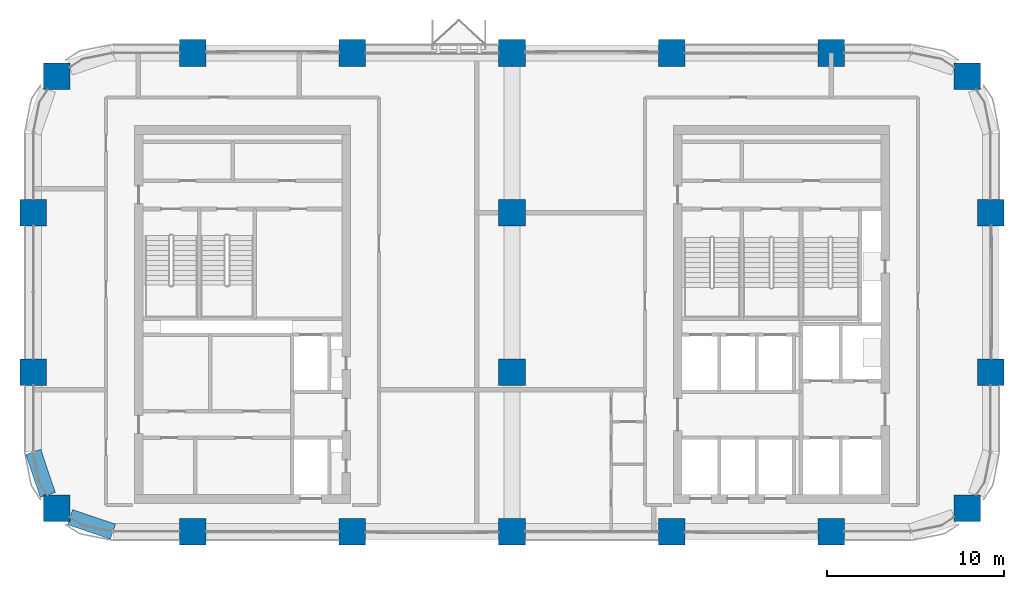
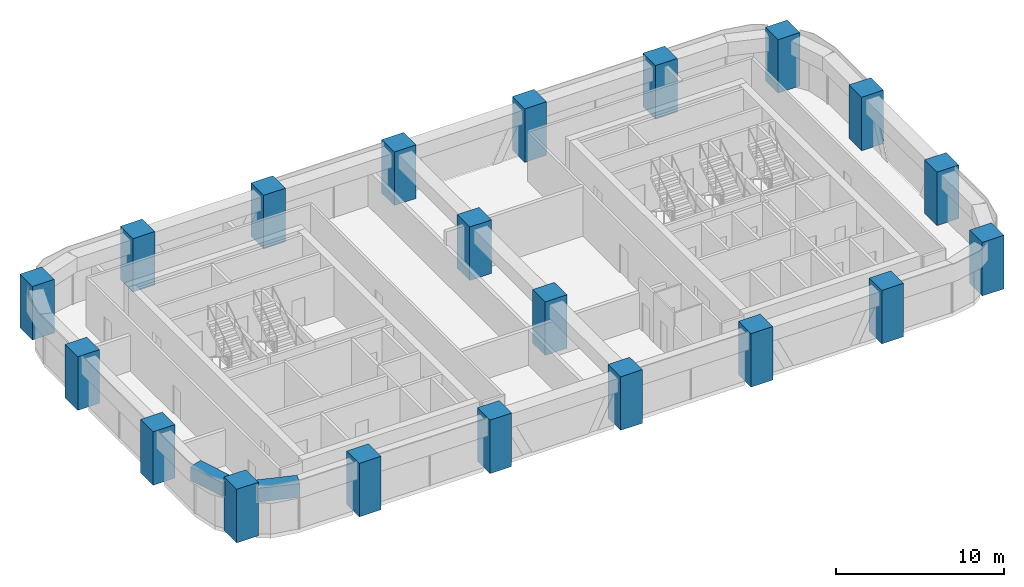
# One storey, part 1 of 14: 20 columns, 2 beams.
"""IFC4 building model written with IfcOpenShell, lengths in metres."""

import ifcopenshell
import ifcopenshell.guid

model = None  # the IFC model being written
_history = None  # IfcOwnerHistory: only IFC2X3 demands one
_inside = {}  # id of a spatial element -> (the spatial element, [elements in it])
_under = {}  # id of a project, library or spatial element -> (it, [spatial elements below it])
_declared = {}  # id of a project -> (the project, [libraries it declares])
_typed = {}  # id of a type object -> (the type object, [elements of that type])
_made_of = {}  # id of a material, layer set ... -> (it, [elements and type objects made of it])


def new_model(schema):
    """Start an empty IFC model of exactly this schema.

    Asked for "IFC4X3", IfcOpenShell would pick the latest addendum, in which some entities
    have other attributes; the version numbers below select the first issue.
    IFC2X3 requires an IfcOwnerHistory on every rooted entity: one is made here for all.
    """
    global model, _history
    if schema == "IFC4X3":
        model = ifcopenshell.file(schema_version=(4, 3, 0, 0))
    else:
        model = ifcopenshell.file(schema=schema)
    _inside.clear()
    _under.clear()
    _declared.clear()
    _typed.clear()
    _made_of.clear()
    _history = None
    if model.schema == "IFC2X3":
        org = make("IfcOrganization", Name="unknown")
        user = make(
            "IfcPersonAndOrganization",
            ThePerson=make("IfcPerson", FamilyName="unknown"),
            TheOrganization=org,
        )
        app = make(
            "IfcApplication",
            ApplicationDeveloper=org,
            Version="unknown",
            ApplicationFullName="unknown",
            ApplicationIdentifier="unknown",
        )
        _history = make(
            "IfcOwnerHistory",
            OwningUser=user,
            OwningApplication=app,
            ChangeAction="ADDED",
            CreationDate=0,
        )
    return model


def make(cls, **values):
    """One entity of the class cls with the attributes given. An attribute that is None is left unset."""
    return model.create_entity(
        cls, **{name: value for name, value in values.items() if value is not None}
    )


def rooted(cls, **values):
    """An entity with a GlobalId (a new one), such as an element, a storey or a relation."""
    return make(cls, GlobalId=ifcopenshell.guid.new(), OwnerHistory=_history, **values)


def si_unit(unit_type, name, prefix=None):
    """IfcSIUnit, for example si_unit("LENGTHUNIT", "METRE", prefix="MILLI")."""
    return make("IfcSIUnit", UnitType=unit_type, Prefix=prefix, Name=name)


def assignment(units):
    """IfcUnitAssignment: the units of a project."""
    return None if units is None else make("IfcUnitAssignment", Units=units)


def point(xyz):
    """IfcCartesianPoint."""
    return None if xyz is None else make("IfcCartesianPoint", Coordinates=xyz)


def direction(xyz):
    """IfcDirection."""
    return None if xyz is None else make("IfcDirection", DirectionRatios=xyz)


def frame(location, z_axis=None, x_axis=None):
    """IfcAxis2Placement3D, a coordinate frame: its origin and axes. An axis left out is left unset."""
    return make(
        "IfcAxis2Placement3D",
        Location=point(location),
        Axis=direction(z_axis),
        RefDirection=direction(x_axis),
    )


def frame_2d(location, x_axis=None):
    """IfcAxis2Placement2D, a coordinate frame in the plane: its origin and x axis."""
    return make(
        "IfcAxis2Placement2D", Location=point(location), RefDirection=direction(x_axis)
    )


def origin():
    """The frame at (0, 0, 0) with its axes left unset."""
    return frame((0.0, 0.0, 0.0))


def origin_2d():
    """The frame at (0, 0) in the plane with its x axis left unset."""
    return frame_2d((0.0, 0.0))


def place(relative_to, where):
    """IfcLocalPlacement: puts the frame where relative to a parent placement (None: the world)."""
    return make(
        "IfcLocalPlacement", PlacementRelTo=relative_to, RelativePlacement=where
    )


def context(
    kind, dimensions, precision=None, world=None, true_north=None, identifier=None
):
    """IfcGeometricRepresentationContext, for example the 3D "Model" context."""
    return make(
        "IfcGeometricRepresentationContext",
        ContextIdentifier=identifier,
        ContextType=kind,
        CoordinateSpaceDimension=dimensions,
        Precision=precision,
        WorldCoordinateSystem=world,
        TrueNorth=true_north,
    )


def subcontext(parent, identifier, kind, view, scale=None):
    """IfcGeometricRepresentationSubContext, for example "Body" below "Model"."""
    return make(
        "IfcGeometricRepresentationSubContext",
        ContextIdentifier=identifier,
        ContextType=kind,
        ParentContext=parent,
        TargetScale=scale,
        TargetView=view,
    )


def project(units=None, contexts=None):
    """IfcProject with its units and contexts."""
    return rooted(
        "IfcProject",
        Name="project",
        RepresentationContexts=contexts,
        UnitsInContext=assignment(units),
    )


def spatial(cls, under=None, at=None, **own):
    """A site, building, storey or space (cls), placed at a placement, below another one or the project."""
    s = rooted(cls, ObjectPlacement=at, **own)
    if under is not None:
        _under.setdefault(under.id(), (under, []))[1].append(s)
    return s


def profile(cls, at=None, kind="AREA", **sizes):
    """A parametric profile (cls). Its sizes go by their IFC names, for example OverallWidth=200.0."""
    return make(cls, ProfileType=kind, Position=at, **sizes)


def rectangle(**sizes):
    """IfcRectangleProfileDef."""
    return profile("IfcRectangleProfileDef", **sizes)


def extrude(swept, where, along, depth):
    """IfcExtrudedAreaSolid: the profile swept, set in the frame where, extruded along a direction by depth."""
    return make(
        "IfcExtrudedAreaSolid",
        SweptArea=swept,
        Position=where,
        ExtrudedDirection=direction(along),
        Depth=depth,
    )


def shape(context_of_items, identifier, shape_type, items):
    """IfcShapeRepresentation: the items that make up one representation, for example the "Body"."""
    return make(
        "IfcShapeRepresentation",
        ContextOfItems=context_of_items,
        RepresentationIdentifier=identifier,
        RepresentationType=shape_type,
        Items=items,
    )


def material(Name=None, Category=None):
    """IfcMaterial."""
    return make("IfcMaterial", Name=Name, Category=Category)


def material_profile(
    of_material, cross_section, Name=None, Category=None, Priority=None
):
    """IfcMaterialProfile: a cross section and its material."""
    return make(
        "IfcMaterialProfile",
        Name=Name,
        Material=of_material,
        Profile=cross_section,
        Priority=Priority,
        Category=Category,
    )


def profile_set(profiles, Name=None, composite=None):
    """IfcMaterialProfileSet."""
    return make(
        "IfcMaterialProfileSet",
        Name=Name,
        MaterialProfiles=profiles,
        CompositeProfile=composite,
    )


def made_of(thing, what):
    """Note that an element or type object is made of a material, layer set ...; save() writes the relation."""
    if what is not None:
        _made_of.setdefault(what.id(), (what, []))[1].append(thing)
    return thing


def type_object(cls, material=None, **own):
    """A type object (cls), such as IfcWallType, which elements share."""
    return made_of(rooted(cls, **own), material)


def element(
    cls,
    number,
    at=None,
    inside=None,
    cuts=None,
    type_object=None,
    material=None,
    context=None,
    identifier="Body",
    shape_type=None,
    held_by="IfcProductDefinitionShape",
    body=None,
    shapes=None,
    **own,
):
    """One element of the class cls, such as IfcWall. Its Tag is "e" and its number.

    at: its placement. inside: the storey or other place that contains it. cuts: it is an
    opening in that element (IfcRelVoidsElement). A single representation is given by context,
    identifier, shape_type and body (its items); several are given by shapes. held_by: the class
    of the entity that holds the representations. save() writes the other relations.
    """
    e = rooted(cls, Tag="e%d" % number, ObjectPlacement=at, **own)
    if body is not None:
        shapes = [shape(context, identifier, shape_type, body)]
    if shapes is not None:
        e.Representation = make(held_by, Representations=shapes)
    if inside is not None:
        _inside.setdefault(inside.id(), (inside, []))[1].append(e)
    if cuts is not None:
        rooted(
            "IfcRelVoidsElement", RelatingBuildingElement=cuts, RelatedOpeningElement=e
        )
    if type_object is not None:
        _typed.setdefault(type_object.id(), (type_object, []))[1].append(e)
    return made_of(e, material)


def aggregate(whole, parts):
    """IfcRelAggregates: a whole, such as a stair, and the parts it consists of."""
    return rooted("IfcRelAggregates", RelatingObject=whole, RelatedObjects=parts)


def save(model, path):
    """Write the relations noted so far, then the file.

    IfcRelAggregates (storeys below a building ...), IfcRelContainedInSpatialStructure (elements
    in a storey), IfcRelDefinesByType, IfcRelAssociatesMaterial and IfcRelDeclares: one each for
    every whole, place, type object, material and project.
    """
    for whole, parts in _under.values():
        aggregate(whole, parts)
    for where, things in _inside.values():
        rooted(
            "IfcRelContainedInSpatialStructure",
            RelatedElements=things,
            RelatingStructure=where,
        )
    for kind, things in _typed.values():
        rooted("IfcRelDefinesByType", RelatedObjects=things, RelatingType=kind)
    for what, things in _made_of.values():
        rooted("IfcRelAssociatesMaterial", RelatedObjects=things, RelatingMaterial=what)
    for by, libraries in _declared.values():
        rooted("IfcRelDeclares", RelatingContext=by, RelatedDefinitions=libraries)
    model.write(path)


model = new_model("IFC4")

# Units and contexts
model_context = context("Model", 3, precision=1e-05, world=origin(), true_north=direction((0.0, 1.0)))
body_context = subcontext(model_context, "Body", "Model", "MODEL_VIEW")
ifc_project = project(units=[si_unit("LENGTHUNIT", "METRE"), si_unit("AREAUNIT", "SQUARE_METRE"), si_unit("VOLUMEUNIT", "CUBIC_METRE"), si_unit("PLANEANGLEUNIT", "RADIAN"), si_unit("MASSUNIT", "GRAM", prefix="KILO")], contexts=[model_context])

# Site, building, storey
site_placement = place(None, origin())
site = spatial("IfcSite", under=ifc_project, at=site_placement, CompositionType="ELEMENT")
building_placement = place(site_placement, origin())
building = spatial("IfcBuilding", under=site, at=building_placement, Name="Tessera Arch", CompositionType="ELEMENT")
storey_placement = place(building_placement, frame((0.0, 0.0, 177.800048828125)))
storey = spatial("IfcBuildingStorey", under=building, at=storey_placement, Name="L42", CompositionType="ELEMENT", Elevation=177.800048828125)

# Columns
ifc_material_1 = material(Name="Concrete C70/85", Category="concrete")
ifc_material_profile_1 = material_profile(ifc_material_1, rectangle(XDim=1.5, YDim=1.5, at=origin_2d()), Name="RC column 1500 x 1500 Concrete C70/85")
ifc_profile_set_1 = profile_set([ifc_material_profile_1], Name="Concrete C70/85")
column_type = type_object("IfcColumnType", Name="RC column 1500 x 1500 Concrete C70/85", PredefinedType="COLUMN", material=ifc_profile_set_1)
for number, where, z_axis, x_axis, name in (
    (1, (1.318115234375, 28.318115234375, 0.0), (0.0, 0.0, 1.0), (1.0, 0.0, 0.0), "Column C1D L42"),
    (2, (0.0, 36.0, 0.0), (0.0, 0.0, 1.0), (1.0, 0.0, 0.0), "Column C1E L42"),
    (3, (0.0, 45.0, 0.0), (0.0, 0.0, 1.0), (1.0, 0.0, 0.0), "Column C1F L42"),
    (4, (1.318115234375, 52.681884765625, 0.0), (0.0, 0.0, 1.0), (1.0, 0.0, 0.0), "Column C1G L42"),
    (5, (9.0, 27.0, 0.0), (0.0, 0.0, 1.0), (1.0, 0.0, 0.0), "Column C2D L42"),
    (6, (9.0, 54.0, 0.0), (0.0, 0.0, 1.0), (1.0, 0.0, 0.0), "Column C2G L42"),
    (7, (18.0, 27.0, 0.0), (0.0, 0.0, 1.0), (1.0, 0.0, 0.0), "Column C3D L42"),
    (8, (18.0, 54.0, 0.0), (0.0, 0.0, 1.0), (1.0, 0.0, 0.0), "Column C3G L42"),
    (9, (27.0, 27.0, 0.0), (0.0, 0.0, 1.0), (1.0, 0.0, 0.0), "Column C4D L42"),
    (10, (27.0, 36.0, 0.0), (0.0, 0.0, 1.0), (1.0, 0.0, 0.0), "Column C4E L42"),
    (11, (27.0, 45.0, 0.0), (0.0, 0.0, 1.0), (1.0, 0.0, 0.0), "Column C4F L42"),
    (12, (27.0, 54.0, 0.0), (0.0, 0.0, 1.0), (1.0, 0.0, 0.0), "Column C4G L42"),
    (13, (36.0, 27.0, 0.0), (0.0, 0.0, 1.0), (1.0, 0.0, 0.0), "Column C5D L42"),
    (14, (36.0, 54.0, 0.0), (0.0, 0.0, 1.0), (1.0, 0.0, 0.0), "Column C5G L42"),
    (15, (45.0, 27.0, 0.0), (0.0, 0.0, 1.0), (1.0, 0.0, 0.0), "Column C6D L42"),
    (16, (45.0, 54.0, 0.0), (0.0, 0.0, 1.0), (1.0, 0.0, 0.0), "Column C6G L42"),
    (17, (52.681884765625, 28.318115234375, 0.0), (0.0, 0.0, 1.0), (1.0, 0.0, 0.0), "Column C7D L42"),
    (18, (54.0, 36.0, 0.0), (0.0, 0.0, 1.0), (1.0, 0.0, 0.0), "Column C7E L42"),
    (19, (54.0, 45.0, 0.0), (0.0, 0.0, 1.0), (1.0, 0.0, 0.0), "Column C7F L42"),
    (20, (52.681884765625, 52.681884765625, 0.0), (0.0, 0.0, 1.0), (1.0, 0.0, 0.0), "Column C7G L42"),
):
    element("IfcColumn", number, at=place(storey_placement, frame(where, z_axis=z_axis, x_axis=x_axis)), inside=storey, type_object=column_type, Name=name, PredefinedType="COLUMN", context=body_context, shape_type="SweptSolid", body=[
        extrude(rectangle(XDim=1.5, YDim=1.5, at=origin_2d()), origin(), (0.0, 0.0, 1.0), 3.89990234375),
    ])

# Beams
ifc_material_2 = material(Name="Concrete C70/85", Category="concrete")
ifc_material_profile_2 = material_profile(ifc_material_2, rectangle(XDim=0.89990234375, YDim=1.0, at=origin_2d()), Name="RC spandrel beam 900 x 1000 Concrete C70/85")
ifc_profile_set_2 = profile_set([ifc_material_profile_2], Name="Concrete C70/85")
beam_type = type_object("IfcBeamType", Name="RC spandrel beam 900 x 1000 Concrete C70/85", PredefinedType="BEAM", material=ifc_profile_set_2)
for number, where, z_axis, x_axis, name in (
    (21, (0.0, 31.5, 3.099853515625), (0.31842525032, -0.947947973234, 0.0), (0.947947973234, 0.31842525032, 0.0), "Spandrel beam L42 W0.27/2.2"),
    (22, (2.068115234375, 27.81689453125, 3.099853515625), (0.947947973234, -0.31842525032, 0.0), (0.31842525032, 0.947947973234, 0.0), "Spandrel beam L42 S27.0/0.1"),
):
    element("IfcBeam", number, at=place(storey_placement, frame(where, z_axis=z_axis, x_axis=x_axis)), inside=storey, type_object=beam_type, Name=name, PredefinedType="BEAM", context=body_context, shape_type="SweptSolid", body=[
        extrude(rectangle(XDim=0.89990234375, YDim=1.0, at=origin_2d()), origin(), (0.0, 0.0, 1.0), 2.5654296875),
    ])

save(model, "model.ifc")
